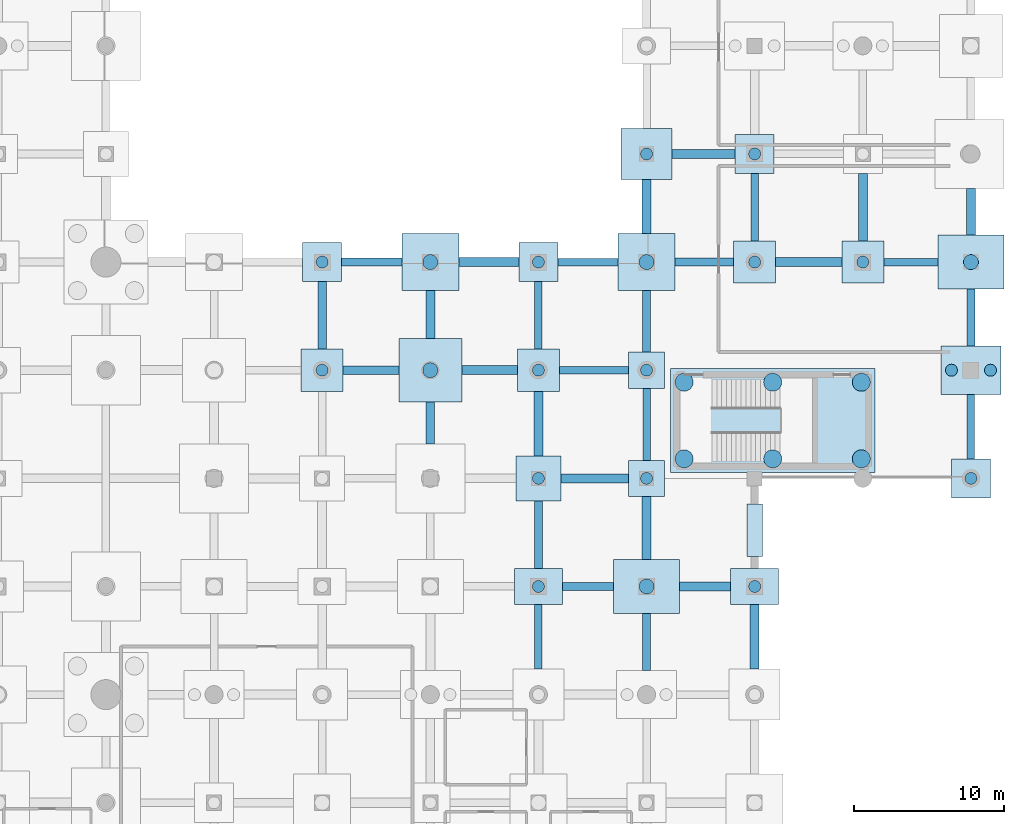
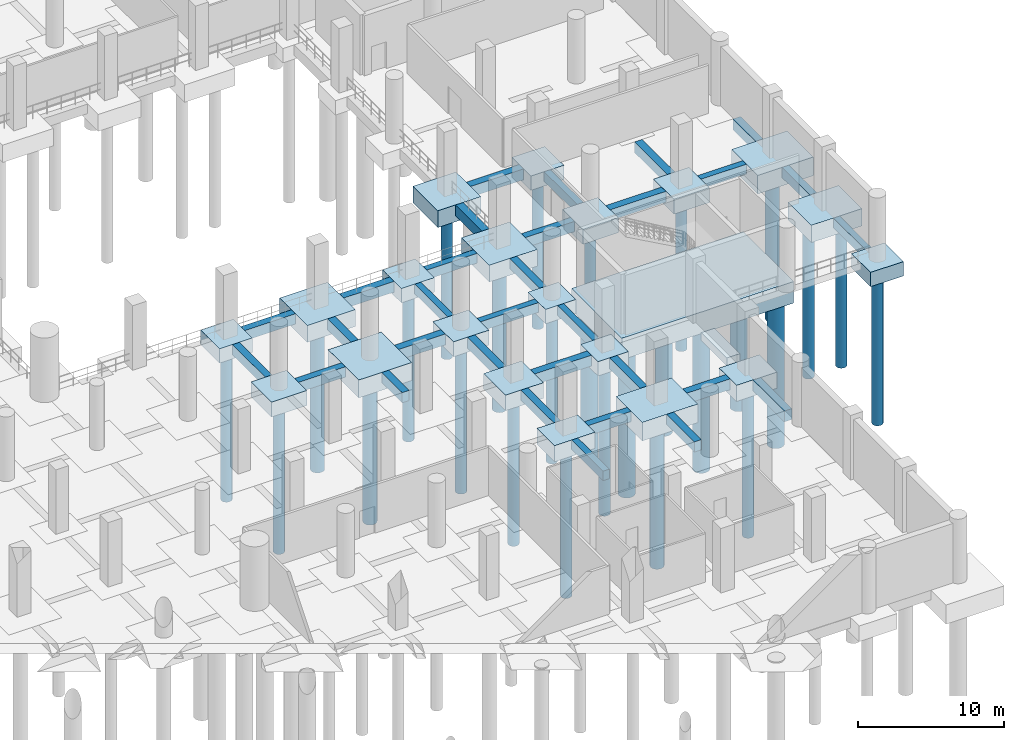
# One storey, part 13 of 37: 53 footings, 27 piles.
"""IFC4 building model written with IfcOpenShell, lengths in metres."""

from ifc_helpers import new_model, si_unit, direction, frame, origin, origin_2d, place, context, subcontext, project, spatial, rectangle, circle, extrude, material, material_profile, profile_set, type_object, element, save


model = new_model("IFC4")

# Units and contexts
model_context = context("Model", 3, precision=1e-05, world=origin(), true_north=direction((0.0, 1.0)))
body_context = subcontext(model_context, "Body", "Model", "MODEL_VIEW")
ifc_project = project(units=[si_unit("LENGTHUNIT", "METRE"), si_unit("AREAUNIT", "SQUARE_METRE"), si_unit("VOLUMEUNIT", "CUBIC_METRE"), si_unit("PLANEANGLEUNIT", "RADIAN"), si_unit("MASSUNIT", "GRAM", prefix="KILO")], contexts=[model_context])

# Site, building, storey
site_placement = place(None, origin())
site = spatial("IfcSite", under=ifc_project, at=site_placement, CompositionType="ELEMENT")
building_placement = place(site_placement, origin())
building = spatial("IfcBuilding", under=site, at=building_placement, Name="Qandorah Velis Arena", CompositionType="ELEMENT")
storey_placement = place(building_placement, frame((0.0, 0.0, -5.39990234375)))
storey = spatial("IfcBuildingStorey", under=building, at=storey_placement, Name="B1", CompositionType="ELEMENT", Elevation=-5.39990234375)

# Footings
ifc_material = material(Name="Concrete C40/50", Category="concrete")
footing_type_1 = type_object("IfcFootingType", Name="STR-CAP-PC10", PredefinedType="PILE_CAP", material=ifc_material)
for number, where, z_axis, x_axis, name in (
    (1, (129.60009765625, 57.60009765625, -1.2001953125), (0.0, 0.0, 1.0), (1.0, 0.0, 0.0), "Pile cap CAP-B1-267"),
    (2, (144.0, 57.60009765625, -1.2001953125), (0.0, 0.0, 1.0), (1.0, 0.0, 0.0), "Pile cap CAP-B1-297"),
):
    element("IfcFooting", number, at=place(storey_placement, frame(where, z_axis=z_axis, x_axis=x_axis)), inside=storey, type_object=footing_type_1, Name=name, PredefinedType="PILE_CAP", context=body_context, shape_type="SweptSolid", body=[
        extrude(rectangle(XDim=2.60009765625, YDim=2.60009765625, at=origin_2d()), origin(), (0.0, 0.0, 1.0), 1.199951171875),
    ])
for number, where, z_axis, x_axis, name in (
    (3, (151.199951171875, 43.199951171875, -1.2001953125), (0.0, 0.0, 1.0), (1.0, 0.0, 0.0), "Pile cap CAP-B1-310"),
    (4, (151.199951171875, 50.39990234375, -1.2001953125), (0.0, 0.0, 1.0), (1.0, 0.0, 0.0), "Pile cap CAP-B1-311"),
):
    element("IfcFooting", number, at=place(storey_placement, frame(where, z_axis=z_axis, x_axis=x_axis)), inside=storey, type_object=footing_type_1, Name=name, PredefinedType="PILE_CAP", context=body_context, shape_type="SweptSolid", body=[
        extrude(rectangle(XDim=2.39990234375, YDim=2.39990234375, at=origin_2d()), origin(), (0.0, 0.0, 1.0), 1.199951171875),
    ])
for number, where, z_axis, x_axis, name in (
    (5, (158.39990234375, 64.800048828125, -1.2001953125), (0.0, 0.0, 1.0), (1.0, 0.0, 0.0), "Pile cap CAP-B1-327"),
    (6, (172.800048828125, 43.199951171875, -1.2001953125), (0.0, 0.0, 1.0), (1.0, 0.0, 0.0), "Pile cap CAP-B1-347"),
):
    element("IfcFooting", number, at=place(storey_placement, frame(where, z_axis=z_axis, x_axis=x_axis)), inside=storey, type_object=footing_type_1, Name=name, PredefinedType="PILE_CAP", context=body_context, shape_type="SweptSolid", body=[
        extrude(rectangle(XDim=2.60009765625, YDim=2.60009765625, at=origin_2d()), origin(), (0.0, 0.0, 1.0), 1.199951171875),
    ])
footing_type_2 = type_object("IfcFootingType", Name="STR-CAP-PC11", PredefinedType="PILE_CAP", material=ifc_material)
footing_1_placement = place(storey_placement, frame((159.60009765625, 47.050048828125, -1.80029296875), z_axis=(0.0, 0.0, 1.0), x_axis=(1.0, 0.0, 0.0)))
element("IfcFooting", 7, at=footing_1_placement, inside=storey, type_object=footing_type_2, Name="Pile cap CAP-CORE-CORE-07", PredefinedType="PILE_CAP", context=body_context, shape_type="SweptSolid", body=[
    extrude(rectangle(XDim=13.60009765625, YDim=6.89990234375, at=origin_2d()), origin(), (0.0, 0.0, 1.0), 1.800048828125),
])
footing_type_3 = type_object("IfcFootingType", Name="STR-CAP-PC14", PredefinedType="PILE_CAP", material=ifc_material)
footing_2_placement = place(storey_placement, frame((172.800048828125, 50.39990234375, -1.4501953125), z_axis=(0.0, 0.0, 1.0), x_axis=(1.0, 0.0, 0.0)))
element("IfcFooting", 8, at=footing_2_placement, inside=storey, type_object=footing_type_3, Name="Pile cap CAP-B1-348", PredefinedType="PILE_CAP", context=body_context, shape_type="SweptSolid", body=[
    extrude(rectangle(XDim=4.0, YDim=3.199951171875, at=origin_2d()), origin(), (0.0, 0.0, 1.0), 1.449951171875),
])
footing_type_4 = type_object("IfcFootingType", Name="STR-CAP-PC15", PredefinedType="PILE_CAP", material=ifc_material)
for number, where, z_axis, x_axis, name in (
    (9, (151.199951171875, 36.0, -1.55029296875), (0.0, 0.0, 1.0), (1.0, 0.0, 0.0), "Pile cap CAP-B1-309"),
    (10, (172.800048828125, 57.60009765625, -1.55029296875), (0.0, 0.0, 1.0), (1.0, 0.0, 0.0), "Pile cap CAP-B1-349"),
):
    element("IfcFooting", number, at=place(storey_placement, frame(where, z_axis=z_axis, x_axis=x_axis)), inside=storey, type_object=footing_type_4, Name=name, PredefinedType="PILE_CAP", context=body_context, shape_type="SweptSolid", body=[
        extrude(rectangle(XDim=4.39990234375, YDim=3.60009765625, at=origin_2d()), origin(), (0.0, 0.0, 1.0), 1.550048828125),
    ])
footing_type_5 = type_object("IfcFootingType", Name="STR-CAP-PC4", PredefinedType="PILE_CAP", material=ifc_material)
footing_3_placement = place(storey_placement, frame((136.800048828125, 50.39990234375, -1.5), z_axis=(0.0, 0.0, 1.0), x_axis=(1.0, 0.0, 0.0)))
element("IfcFooting", 11, at=footing_3_placement, inside=storey, type_object=footing_type_5, Name="Pile cap CAP-B1-281", PredefinedType="PILE_CAP", context=body_context, shape_type="SweptSolid", body=[
    extrude(rectangle(XDim=4.199951171875, YDim=4.199951171875, at=origin_2d()), origin(), (0.0, 0.0, 1.0), 1.5),
])
footing_type_6 = type_object("IfcFootingType", Name="STR-CAP-PC5", PredefinedType="PILE_CAP", material=ifc_material)
for number, where, z_axis, x_axis, name in (
    (12, (136.800048828125, 57.60009765625, -1.400146484375), (0.0, 0.0, 1.0), (1.0, 0.0, 0.0), "Pile cap CAP-B1-282"),
    (13, (151.199951171875, 57.60009765625, -1.400146484375), (0.0, 0.0, 1.0), (1.0, 0.0, 0.0), "Pile cap CAP-B1-312"),
):
    element("IfcFooting", number, at=place(storey_placement, frame(where, z_axis=z_axis, x_axis=x_axis)), inside=storey, type_object=footing_type_6, Name=name, PredefinedType="PILE_CAP", context=body_context, shape_type="SweptSolid", body=[
        extrude(rectangle(XDim=3.800048828125, YDim=3.800048828125, at=origin_2d()), origin(), (0.0, 0.0, 1.0), 1.39990234375),
    ])
footing_type_7 = type_object("IfcFootingType", Name="STR-CAP-PC6", PredefinedType="PILE_CAP", material=ifc_material)
footing_4_placement = place(storey_placement, frame((151.199951171875, 64.800048828125, -1.400146484375), z_axis=(0.0, 0.0, 1.0), x_axis=(1.0, 0.0, 0.0)))
element("IfcFooting", 14, at=footing_4_placement, inside=storey, type_object=footing_type_7, Name="Pile cap CAP-B1-313", PredefinedType="PILE_CAP", context=body_context, shape_type="SweptSolid", body=[
    extrude(rectangle(XDim=3.39990234375, YDim=3.39990234375, at=origin_2d()), origin(), (0.0, 0.0, 1.0), 1.39990234375),
])
footing_type_8 = type_object("IfcFootingType", Name="STR-CAP-PC7", PredefinedType="PILE_CAP", material=ifc_material)
for number, where, z_axis, x_axis, name in (
    (15, (144.0, 36.0, -1.35009765625), (0.0, 0.0, 1.0), (1.0, 0.0, 0.0), "Pile cap CAP-B1-294"),
    (16, (158.39990234375, 36.0, -1.35009765625), (0.0, 0.0, 1.0), (1.0, 0.0, 0.0), "Pile cap CAP-B1-324"),
):
    element("IfcFooting", number, at=place(storey_placement, frame(where, z_axis=z_axis, x_axis=x_axis)), inside=storey, type_object=footing_type_8, Name=name, PredefinedType="PILE_CAP", context=body_context, shape_type="SweptSolid", body=[
        extrude(rectangle(XDim=3.199951171875, YDim=2.39990234375, at=origin_2d()), origin(), (0.0, 0.0, 1.0), 1.35009765625),
    ])
footing_type_9 = type_object("IfcFootingType", Name="STR-CAP-PC8", PredefinedType="PILE_CAP", material=ifc_material)
footing_5_placement = place(storey_placement, frame((144.0, 43.199951171875, -1.30029296875), z_axis=(0.0, 0.0, 1.0), x_axis=(1.0, 0.0, 0.0)))
element("IfcFooting", 17, at=footing_5_placement, inside=storey, type_object=footing_type_9, Name="Pile cap CAP-B1-295", PredefinedType="PILE_CAP", context=body_context, shape_type="SweptSolid", body=[
    extrude(rectangle(XDim=3.0, YDim=3.0, at=origin_2d()), origin(), (0.0, 0.0, 1.0), 1.300048828125),
])
footing_type_10 = type_object("IfcFootingType", Name="STR-CAP-PC9", PredefinedType="PILE_CAP", material=ifc_material)
for number, where, z_axis, x_axis, name in (
    (18, (129.60009765625, 50.39990234375, -1.25), (0.0, 0.0, 1.0), (1.0, 0.0, 0.0), "Pile cap CAP-B1-266"),
    (19, (144.0, 50.39990234375, -1.25), (0.0, 0.0, 1.0), (1.0, 0.0, 0.0), "Pile cap CAP-B1-296"),
    (20, (158.39990234375, 57.60009765625, -1.25), (0.0, 0.0, 1.0), (1.0, 0.0, 0.0), "Pile cap CAP-B1-326"),
    (21, (165.60009765625, 57.60009765625, -1.25), (0.0, 0.0, 1.0), (1.0, 0.0, 0.0), "Pile cap CAP-B1-336"),
):
    element("IfcFooting", number, at=place(storey_placement, frame(where, z_axis=z_axis, x_axis=x_axis)), inside=storey, type_object=footing_type_10, Name=name, PredefinedType="PILE_CAP", context=body_context, shape_type="SweptSolid", body=[
        extrude(rectangle(XDim=2.800048828125, YDim=2.800048828125, at=origin_2d()), origin(), (0.0, 0.0, 1.0), 1.25),
    ])
ifc_material_profile_1 = material_profile(ifc_material, rectangle(XDim=0.60009765625, YDim=0.89990234375, at=origin_2d()), Name="GB1 600x900")
ifc_profile_set_1 = profile_set([ifc_material_profile_1], Name="Concrete C40/50")
footing_type_11 = type_object("IfcFootingType", Name="STR-GB-FB1", PredefinedType="FOOTING_BEAM", material=ifc_profile_set_1)
footing_6_placement = place(storey_placement, frame((136.800048828125, 52.5, -0.4501953125), z_axis=(0.0, 1.0, 0.0), x_axis=(-1.0, 0.0, 0.0)))
element("IfcFooting", 22, at=footing_6_placement, inside=storey, type_object=footing_type_11, Name="Ground tie beam GB-210", PredefinedType="FOOTING_BEAM", context=body_context, shape_type="SweptSolid", body=[
    extrude(rectangle(XDim=0.60009765625, YDim=0.89990234375, at=origin_2d()), origin(), (0.0, 0.0, 1.0), 3.199951171875),
])
footing_7_placement = place(storey_placement, frame((144.0, 44.699951171875, -0.4501953125), z_axis=(0.0, 1.0, 0.0), x_axis=(-1.0, 0.0, 0.0)))
element("IfcFooting", 23, at=footing_7_placement, inside=storey, type_object=footing_type_11, Name="Ground tie beam GB-222", PredefinedType="FOOTING_BEAM", context=body_context, shape_type="SweptSolid", body=[
    extrude(rectangle(XDim=0.60009765625, YDim=0.89990234375, at=origin_2d()), origin(), (0.0, 0.0, 1.0), 4.300048828125),
])
footing_8_placement = place(storey_placement, frame((151.199951171875, 37.800048828125, -0.4501953125), z_axis=(0.0, 1.0, 0.0), x_axis=(-1.0, 0.0, 0.0)))
element("IfcFooting", 24, at=footing_8_placement, inside=storey, type_object=footing_type_11, Name="Ground tie beam GB-234", PredefinedType="FOOTING_BEAM", context=body_context, shape_type="SweptSolid", body=[
    extrude(rectangle(XDim=0.60009765625, YDim=0.89990234375, at=origin_2d()), origin(), (0.0, 0.0, 1.0), 4.199951171875),
])
footing_9_placement = place(storey_placement, frame((151.199951171875, 59.5, -0.4501953125), z_axis=(0.0, 1.0, 0.0), x_axis=(-1.0, 0.0, 0.0)))
element("IfcFooting", 25, at=footing_9_placement, inside=storey, type_object=footing_type_11, Name="Ground tie beam GB-237", PredefinedType="FOOTING_BEAM", context=body_context, shape_type="SweptSolid", body=[
    extrude(rectangle(XDim=0.60009765625, YDim=0.89990234375, at=origin_2d()), origin(), (0.0, 0.0, 1.0), 3.60009765625),
])
footing_10_placement = place(storey_placement, frame((158.39990234375, 30.5, -0.4501953125), z_axis=(0.0, 1.0, 0.0), x_axis=(-1.0, 0.0, 0.0)))
element("IfcFooting", 26, at=footing_10_placement, inside=storey, type_object=footing_type_11, Name="Ground tie beam GB-246", PredefinedType="FOOTING_BEAM", context=body_context, shape_type="SweptSolid", body=[
    extrude(rectangle(XDim=0.60009765625, YDim=0.89990234375, at=origin_2d()), origin(), (0.0, 0.0, 1.0), 4.300048828125),
])
footing_11_placement = place(storey_placement, frame((165.60009765625, 59.0, -0.4501953125), z_axis=(0.0, 1.0, 0.0), x_axis=(-1.0, 0.0, 0.0)))
element("IfcFooting", 27, at=footing_11_placement, inside=storey, type_object=footing_type_11, Name="Ground tie beam GB-252", PredefinedType="FOOTING_BEAM", context=body_context, shape_type="SweptSolid", body=[
    extrude(rectangle(XDim=0.60009765625, YDim=0.89990234375, at=origin_2d()), origin(), (0.0, 0.0, 1.0), 4.5),
])
footing_12_placement = place(storey_placement, frame((172.800048828125, 59.39990234375, -0.4501953125), z_axis=(0.0, 1.0, 0.0), x_axis=(-1.0, 0.0, 0.0)))
element("IfcFooting", 28, at=footing_12_placement, inside=storey, type_object=footing_type_11, Name="Ground tie beam GB-261", PredefinedType="FOOTING_BEAM", context=body_context, shape_type="SweptSolid", body=[
    extrude(rectangle(XDim=0.60009765625, YDim=0.89990234375, at=origin_2d()), origin(), (0.0, 0.0, 1.0), 3.10009765625),
])
footing_13_placement = place(storey_placement, frame((153.39990234375, 36.0, -0.4501953125), z_axis=(1.0, 0.0, 0.0), x_axis=(0.0, 1.0, 0.0)))
element("IfcFooting", 29, at=footing_13_placement, inside=storey, type_object=footing_type_11, Name="Ground tie beam GB-378", PredefinedType="FOOTING_BEAM", context=body_context, shape_type="SweptSolid", body=[
    extrude(rectangle(XDim=0.60009765625, YDim=0.89990234375, at=origin_2d()), origin(), (0.0, 0.0, 1.0), 3.400146484375),
])
footing_14_placement = place(storey_placement, frame((145.5, 43.199951171875, -0.4501953125), z_axis=(1.0, 0.0, 0.0), x_axis=(0.0, 1.0, 0.0)))
element("IfcFooting", 30, at=footing_14_placement, inside=storey, type_object=footing_type_11, Name="Ground tie beam GB-384", PredefinedType="FOOTING_BEAM", context=body_context, shape_type="SweptSolid", body=[
    extrude(rectangle(XDim=0.60009765625, YDim=0.89990234375, at=origin_2d()), origin(), (0.0, 0.0, 1.0), 4.5),
])
footing_15_placement = place(storey_placement, frame((138.89990234375, 50.39990234375, -0.4501953125), z_axis=(1.0, 0.0, 0.0), x_axis=(0.0, 1.0, 0.0)))
element("IfcFooting", 31, at=footing_15_placement, inside=storey, type_object=footing_type_11, Name="Ground tie beam GB-390", PredefinedType="FOOTING_BEAM", context=body_context, shape_type="SweptSolid", body=[
    extrude(rectangle(XDim=0.60009765625, YDim=0.89990234375, at=origin_2d()), origin(), (0.0, 0.0, 1.0), 3.7001953125),
])
footing_16_placement = place(storey_placement, frame((138.699951171875, 57.60009765625, -0.4501953125), z_axis=(1.0, 0.0, 0.0), x_axis=(0.0, 1.0, 0.0)))
element("IfcFooting", 32, at=footing_16_placement, inside=storey, type_object=footing_type_11, Name="Ground tie beam GB-399", PredefinedType="FOOTING_BEAM", context=body_context, shape_type="SweptSolid", body=[
    extrude(rectangle(XDim=0.60009765625, YDim=0.89990234375, at=origin_2d()), origin(), (0.0, 0.0, 1.0), 4.0),
])
footing_17_placement = place(storey_placement, frame((159.800048828125, 57.60009765625, -0.4501953125), z_axis=(1.0, 0.0, 0.0), x_axis=(0.0, 1.0, 0.0)))
element("IfcFooting", 33, at=footing_17_placement, inside=storey, type_object=footing_type_11, Name="Ground tie beam GB-402", PredefinedType="FOOTING_BEAM", context=body_context, shape_type="SweptSolid", body=[
    extrude(rectangle(XDim=0.60009765625, YDim=0.89990234375, at=origin_2d()), origin(), (0.0, 0.0, 1.0), 4.39990234375),
])
footing_18_placement = place(storey_placement, frame((152.89990234375, 64.800048828125, -0.4501953125), z_axis=(1.0, 0.0, 0.0), x_axis=(0.0, 1.0, 0.0)))
element("IfcFooting", 34, at=footing_18_placement, inside=storey, type_object=footing_type_11, Name="Ground tie beam GB-408", PredefinedType="FOOTING_BEAM", context=body_context, shape_type="SweptSolid", body=[
    extrude(rectangle(XDim=0.60009765625, YDim=0.89990234375, at=origin_2d()), origin(), (0.0, 0.0, 1.0), 4.2001953125),
])
ifc_material_profile_2 = material_profile(ifc_material, rectangle(XDim=0.5, YDim=0.800048828125, at=origin_2d()), Name="GB2 500x800")
ifc_profile_set_2 = profile_set([ifc_material_profile_2], Name="Concrete C40/50")
footing_type_12 = type_object("IfcFootingType", Name="STR-GB-FB2", PredefinedType="FOOTING_BEAM", material=ifc_profile_set_2)
footing_19_placement = place(storey_placement, frame((144.0, 30.5, -0.400146484375), z_axis=(0.0, 1.0, 0.0), x_axis=(-1.0, 0.0, 0.0)))
element("IfcFooting", 35, at=footing_19_placement, inside=storey, type_object=footing_type_12, Name="Ground tie beam GB-220", PredefinedType="FOOTING_BEAM", context=body_context, shape_type="SweptSolid", body=[
    extrude(rectangle(XDim=0.5, YDim=0.800048828125, at=origin_2d()), origin(), (0.0, 0.0, 1.0), 4.300048828125),
])
footing_20_placement = place(storey_placement, frame((144.0, 51.800048828125, -0.400146484375), z_axis=(0.0, 1.0, 0.0), x_axis=(-1.0, 0.0, 0.0)))
element("IfcFooting", 36, at=footing_20_placement, inside=storey, type_object=footing_type_12, Name="Ground tie beam GB-223", PredefinedType="FOOTING_BEAM", context=body_context, shape_type="SweptSolid", body=[
    extrude(rectangle(XDim=0.5, YDim=0.800048828125, at=origin_2d()), origin(), (0.0, 0.0, 1.0), 4.5),
])
footing_21_placement = place(storey_placement, frame((151.199951171875, 44.39990234375, -0.400146484375), z_axis=(0.0, 1.0, 0.0), x_axis=(-1.0, 0.0, 0.0)))
element("IfcFooting", 37, at=footing_21_placement, inside=storey, type_object=footing_type_12, Name="Ground tie beam GB-235", PredefinedType="FOOTING_BEAM", context=body_context, shape_type="SweptSolid", body=[
    extrude(rectangle(XDim=0.5, YDim=0.800048828125, at=origin_2d()), origin(), (0.0, 0.0, 1.0), 4.800048828125),
])
footing_22_placement = place(storey_placement, frame((158.39990234375, 59.0, -0.400146484375), z_axis=(0.0, 1.0, 0.0), x_axis=(-1.0, 0.0, 0.0)))
element("IfcFooting", 38, at=footing_22_placement, inside=storey, type_object=footing_type_12, Name="Ground tie beam GB-247", PredefinedType="FOOTING_BEAM", context=body_context, shape_type="SweptSolid", body=[
    extrude(rectangle(XDim=0.5, YDim=0.800048828125, at=origin_2d()), origin(), (0.0, 0.0, 1.0), 4.5),
])
footing_23_placement = place(storey_placement, frame((172.800048828125, 44.5, -0.400146484375), z_axis=(0.0, 1.0, 0.0), x_axis=(-1.0, 0.0, 0.0)))
element("IfcFooting", 39, at=footing_23_placement, inside=storey, type_object=footing_type_12, Name="Ground tie beam GB-259", PredefinedType="FOOTING_BEAM", context=body_context, shape_type="SweptSolid", body=[
    extrude(rectangle(XDim=0.5, YDim=0.800048828125, at=origin_2d()), origin(), (0.0, 0.0, 1.0), 4.300048828125),
])
footing_24_placement = place(storey_placement, frame((145.39990234375, 50.39990234375, -0.400146484375), z_axis=(1.0, 0.0, 0.0), x_axis=(0.0, 1.0, 0.0)))
element("IfcFooting", 40, at=footing_24_placement, inside=storey, type_object=footing_type_12, Name="Ground tie beam GB-391", PredefinedType="FOOTING_BEAM", context=body_context, shape_type="SweptSolid", body=[
    extrude(rectangle(XDim=0.5, YDim=0.800048828125, at=origin_2d()), origin(), (0.0, 0.0, 1.0), 4.60009765625),
])
footing_25_placement = place(storey_placement, frame((145.300048828125, 57.60009765625, -0.400146484375), z_axis=(1.0, 0.0, 0.0), x_axis=(0.0, 1.0, 0.0)))
element("IfcFooting", 41, at=footing_25_placement, inside=storey, type_object=footing_type_12, Name="Ground tie beam GB-400", PredefinedType="FOOTING_BEAM", context=body_context, shape_type="SweptSolid", body=[
    extrude(rectangle(XDim=0.5, YDim=0.800048828125, at=origin_2d()), origin(), (0.0, 0.0, 1.0), 4.0),
])
footing_26_placement = place(storey_placement, frame((167.0, 57.60009765625, -0.400146484375), z_axis=(1.0, 0.0, 0.0), x_axis=(0.0, 1.0, 0.0)))
element("IfcFooting", 42, at=footing_26_placement, inside=storey, type_object=footing_type_12, Name="Ground tie beam GB-403", PredefinedType="FOOTING_BEAM", context=body_context, shape_type="SweptSolid", body=[
    extrude(rectangle(XDim=0.5, YDim=0.800048828125, at=origin_2d()), origin(), (0.0, 0.0, 1.0), 3.60009765625),
])
ifc_material_profile_3 = material_profile(ifc_material, rectangle(XDim=0.550048828125, YDim=0.85009765625, at=origin_2d()), Name="GB3 550x850")
ifc_profile_set_3 = profile_set([ifc_material_profile_3], Name="Concrete C40/50")
footing_type_13 = type_object("IfcFootingType", Name="STR-GB-FB3", PredefinedType="FOOTING_BEAM", material=ifc_profile_set_3)
footing_27_placement = place(storey_placement, frame((129.60009765625, 51.800048828125, -0.425048828125), z_axis=(0.0, 1.0, 0.0), x_axis=(-1.0, 0.0, 0.0)))
element("IfcFooting", 43, at=footing_27_placement, inside=storey, type_object=footing_type_13, Name="Ground tie beam GB-197", PredefinedType="FOOTING_BEAM", context=body_context, shape_type="SweptSolid", body=[
    extrude(rectangle(XDim=0.550048828125, YDim=0.85009765625, at=origin_2d()), origin(), (0.0, 0.0, 1.0), 4.5),
])
footing_28_placement = place(storey_placement, frame((136.800048828125, 45.5, -0.425048828125), z_axis=(0.0, 1.0, 0.0), x_axis=(-1.0, 0.0, 0.0)))
element("IfcFooting", 44, at=footing_28_placement, inside=storey, type_object=footing_type_13, Name="Ground tie beam GB-209", PredefinedType="FOOTING_BEAM", context=body_context, shape_type="SweptSolid", body=[
    extrude(rectangle(XDim=0.550048828125, YDim=0.85009765625, at=origin_2d()), origin(), (0.0, 0.0, 1.0), 2.800048828125),
])
footing_29_placement = place(storey_placement, frame((144.0, 37.199951171875, -0.425048828125), z_axis=(0.0, 1.0, 0.0), x_axis=(-1.0, 0.0, 0.0)))
element("IfcFooting", 45, at=footing_29_placement, inside=storey, type_object=footing_type_13, Name="Ground tie beam GB-221", PredefinedType="FOOTING_BEAM", context=body_context, shape_type="SweptSolid", body=[
    extrude(rectangle(XDim=0.550048828125, YDim=0.85009765625, at=origin_2d()), origin(), (0.0, 0.0, 1.0), 4.5),
])
footing_30_placement = place(storey_placement, frame((151.199951171875, 30.39990234375, -0.425048828125), z_axis=(0.0, 1.0, 0.0), x_axis=(-1.0, 0.0, 0.0)))
element("IfcFooting", 46, at=footing_30_placement, inside=storey, type_object=footing_type_13, Name="Ground tie beam GB-233", PredefinedType="FOOTING_BEAM", context=body_context, shape_type="SweptSolid", body=[
    extrude(rectangle(XDim=0.550048828125, YDim=0.85009765625, at=origin_2d()), origin(), (0.0, 0.0, 1.0), 3.800048828125),
])
footing_31_placement = place(storey_placement, frame((151.199951171875, 51.60009765625, -0.425048828125), z_axis=(0.0, 1.0, 0.0), x_axis=(-1.0, 0.0, 0.0)))
element("IfcFooting", 47, at=footing_31_placement, inside=storey, type_object=footing_type_13, Name="Ground tie beam GB-236", PredefinedType="FOOTING_BEAM", context=body_context, shape_type="SweptSolid", body=[
    extrude(rectangle(XDim=0.550048828125, YDim=0.85009765625, at=origin_2d()), origin(), (0.0, 0.0, 1.0), 4.099853515625),
])
footing_32_placement = place(storey_placement, frame((172.800048828125, 52.0, -0.425048828125), z_axis=(0.0, 1.0, 0.0), x_axis=(-1.0, 0.0, 0.0)))
element("IfcFooting", 48, at=footing_32_placement, inside=storey, type_object=footing_type_13, Name="Ground tie beam GB-260", PredefinedType="FOOTING_BEAM", context=body_context, shape_type="SweptSolid", body=[
    extrude(rectangle(XDim=0.550048828125, YDim=0.85009765625, at=origin_2d()), origin(), (0.0, 0.0, 1.0), 3.800048828125),
])
footing_33_placement = place(storey_placement, frame((145.60009765625, 36.0, -0.425048828125), z_axis=(1.0, 0.0, 0.0), x_axis=(0.0, 1.0, 0.0)))
element("IfcFooting", 49, at=footing_33_placement, inside=storey, type_object=footing_type_13, Name="Ground tie beam GB-377", PredefinedType="FOOTING_BEAM", context=body_context, shape_type="SweptSolid", body=[
    extrude(rectangle(XDim=0.550048828125, YDim=0.85009765625, at=origin_2d()), origin(), (0.0, 0.0, 1.0), 3.39990234375),
])
footing_34_placement = place(storey_placement, frame((131.0, 50.39990234375, -0.425048828125), z_axis=(1.0, 0.0, 0.0), x_axis=(0.0, 1.0, 0.0)))
element("IfcFooting", 50, at=footing_34_placement, inside=storey, type_object=footing_type_13, Name="Ground tie beam GB-389", PredefinedType="FOOTING_BEAM", context=body_context, shape_type="SweptSolid", body=[
    extrude(rectangle(XDim=0.550048828125, YDim=0.85009765625, at=origin_2d()), origin(), (0.0, 0.0, 1.0), 3.699951171875),
])
footing_35_placement = place(storey_placement, frame((130.89990234375, 57.60009765625, -0.425048828125), z_axis=(1.0, 0.0, 0.0), x_axis=(0.0, 1.0, 0.0)))
element("IfcFooting", 51, at=footing_35_placement, inside=storey, type_object=footing_type_13, Name="Ground tie beam GB-398", PredefinedType="FOOTING_BEAM", context=body_context, shape_type="SweptSolid", body=[
    extrude(rectangle(XDim=0.550048828125, YDim=0.85009765625, at=origin_2d()), origin(), (0.0, 0.0, 1.0), 4.0),
])
footing_36_placement = place(storey_placement, frame((153.10009765625, 57.60009765625, -0.425048828125), z_axis=(1.0, 0.0, 0.0), x_axis=(0.0, 1.0, 0.0)))
element("IfcFooting", 52, at=footing_36_placement, inside=storey, type_object=footing_type_13, Name="Ground tie beam GB-401", PredefinedType="FOOTING_BEAM", context=body_context, shape_type="SweptSolid", body=[
    extrude(rectangle(XDim=0.550048828125, YDim=0.85009765625, at=origin_2d()), origin(), (0.0, 0.0, 1.0), 3.89990234375),
])

# Piles
ifc_material_profile_4 = material_profile(ifc_material, circle(Radius=0.5, at=origin_2d()), Name="BORED PILE D1000")
ifc_profile_set_4 = profile_set([ifc_material_profile_4], Name="Concrete C40/50")
pile_type_1 = type_object("IfcPileType", Name="STR-PILE-BP1000", PredefinedType="BORED", material=ifc_profile_set_4)
pile_1_placement = place(storey_placement, frame((136.800048828125, 50.39990234375, -1.400146484375), z_axis=(0.0, 0.0, -1.0), x_axis=(1.0, 0.0, 0.0)))
element("IfcPile", 53, at=pile_1_placement, inside=storey, type_object=pile_type_1, Name="Bored pile PILE-CAP-B1-281-11", PredefinedType="BORED", context=body_context, shape_type="SweptSolid", body=[
    extrude(circle(Radius=0.5, at=origin_2d()), origin(), (0.0, 0.0, 1.0), 12.39990234375),
])
pile_2_placement = place(storey_placement, frame((136.800048828125, 57.60009765625, -1.300048828125), z_axis=(0.0, 0.0, -1.0), x_axis=(1.0, 0.0, 0.0)))
element("IfcPile", 54, at=pile_2_placement, inside=storey, type_object=pile_type_1, Name="Bored pile PILE-CAP-B1-282-11", PredefinedType="BORED", context=body_context, shape_type="SweptSolid", body=[
    extrude(circle(Radius=0.5, at=origin_2d()), origin(), (0.0, 0.0, 1.0), 12.5),
])
pile_3_placement = place(storey_placement, frame((151.199951171875, 36.0, -1.4501953125), z_axis=(0.0, 0.0, -1.0), x_axis=(1.0, 0.0, 0.0)))
element("IfcPile", 55, at=pile_3_placement, inside=storey, type_object=pile_type_1, Name="Bored pile PILE-CAP-B1-309-11", PredefinedType="BORED", context=body_context, shape_type="SweptSolid", body=[
    extrude(circle(Radius=0.5, at=origin_2d()), origin(), (0.0, 0.0, 1.0), 12.35009765625),
])
pile_4_placement = place(storey_placement, frame((151.199951171875, 57.60009765625, -1.300048828125), z_axis=(0.0, 0.0, -1.0), x_axis=(1.0, 0.0, 0.0)))
element("IfcPile", 56, at=pile_4_placement, inside=storey, type_object=pile_type_1, Name="Bored pile PILE-CAP-B1-312-11", PredefinedType="BORED", context=body_context, shape_type="SweptSolid", body=[
    extrude(circle(Radius=0.5, at=origin_2d()), origin(), (0.0, 0.0, 1.0), 12.5),
])
pile_5_placement = place(storey_placement, frame((172.800048828125, 57.60009765625, -1.4501953125), z_axis=(0.0, 0.0, -1.0), x_axis=(1.0, 0.0, 0.0)))
element("IfcPile", 57, at=pile_5_placement, inside=storey, type_object=pile_type_1, Name="Bored pile PILE-CAP-B1-349-11", PredefinedType="BORED", context=body_context, shape_type="SweptSolid", body=[
    extrude(circle(Radius=0.5, at=origin_2d()), origin(), (0.0, 0.0, 1.0), 12.35009765625),
])
ifc_material_profile_5 = material_profile(ifc_material, circle(Radius=0.60009765625, at=origin_2d()), Name="BORED PILE D1200")
ifc_profile_set_5 = profile_set([ifc_material_profile_5], Name="Concrete C40/50")
pile_type_2 = type_object("IfcPileType", Name="STR-PILE-BP1200", PredefinedType="BORED", material=ifc_profile_set_5)
for number, where, z_axis, x_axis, name in (
    (58, (153.699951171875, 44.5, -1.7001953125), (0.0, 0.0, -1.0), (1.0, 0.0, 0.0), "Bored pile PILE-CAP-CORE-CORE-07-11"),
    (59, (153.699951171875, 49.60009765625, -1.7001953125), (0.0, 0.0, -1.0), (1.0, 0.0, 0.0), "Bored pile PILE-CAP-CORE-CORE-07-12"),
    (60, (159.60009765625, 44.5, -1.7001953125), (0.0, 0.0, -1.0), (1.0, 0.0, 0.0), "Bored pile PILE-CAP-CORE-CORE-07-21"),
    (61, (159.60009765625, 49.60009765625, -1.7001953125), (0.0, 0.0, -1.0), (1.0, 0.0, 0.0), "Bored pile PILE-CAP-CORE-CORE-07-22"),
    (62, (165.5, 44.5, -1.7001953125), (0.0, 0.0, -1.0), (1.0, 0.0, 0.0), "Bored pile PILE-CAP-CORE-CORE-07-31"),
    (63, (165.5, 49.60009765625, -1.7001953125), (0.0, 0.0, -1.0), (1.0, 0.0, 0.0), "Bored pile PILE-CAP-CORE-CORE-07-32"),
):
    element("IfcPile", number, at=place(storey_placement, frame(where, z_axis=z_axis, x_axis=x_axis)), inside=storey, type_object=pile_type_2, Name=name, PredefinedType="BORED", context=body_context, shape_type="SweptSolid", body=[
        extrude(circle(Radius=0.60009765625, at=origin_2d()), origin(), (0.0, 0.0, 1.0), 12.10009765625),
    ])
ifc_material_profile_6 = material_profile(ifc_material, circle(Radius=0.39990234375, at=origin_2d()), Name="BORED PILE D800")
ifc_profile_set_6 = profile_set([ifc_material_profile_6], Name="Concrete C40/50")
pile_type_3 = type_object("IfcPileType", Name="STR-PILE-BP800", PredefinedType="BORED", material=ifc_profile_set_6)
pile_6_placement = place(storey_placement, frame((129.60009765625, 50.39990234375, -1.150146484375), z_axis=(0.0, 0.0, -1.0), x_axis=(1.0, 0.0, 0.0)))
element("IfcPile", 64, at=pile_6_placement, inside=storey, type_object=pile_type_3, Name="Bored pile PILE-CAP-B1-266-11", PredefinedType="BORED", context=body_context, shape_type="SweptSolid", body=[
    extrude(circle(Radius=0.39990234375, at=origin_2d()), origin(), (0.0, 0.0, 1.0), 12.64990234375),
])
pile_7_placement = place(storey_placement, frame((129.60009765625, 57.60009765625, -1.10009765625), z_axis=(0.0, 0.0, -1.0), x_axis=(1.0, 0.0, 0.0)))
element("IfcPile", 65, at=pile_7_placement, inside=storey, type_object=pile_type_3, Name="Bored pile PILE-CAP-B1-267-11", PredefinedType="BORED", context=body_context, shape_type="SweptSolid", body=[
    extrude(circle(Radius=0.39990234375, at=origin_2d()), origin(), (0.0, 0.0, 1.0), 12.699951171875),
])
pile_8_placement = place(storey_placement, frame((144.0, 36.0, -1.25), z_axis=(0.0, 0.0, -1.0), x_axis=(1.0, 0.0, 0.0)))
element("IfcPile", 66, at=pile_8_placement, inside=storey, type_object=pile_type_3, Name="Bored pile PILE-CAP-B1-294-11", PredefinedType="BORED", context=body_context, shape_type="SweptSolid", body=[
    extrude(circle(Radius=0.39990234375, at=origin_2d()), origin(), (0.0, 0.0, 1.0), 12.550048828125),
])
pile_9_placement = place(storey_placement, frame((144.0, 43.199951171875, -1.2001953125), z_axis=(0.0, 0.0, -1.0), x_axis=(1.0, 0.0, 0.0)))
element("IfcPile", 67, at=pile_9_placement, inside=storey, type_object=pile_type_3, Name="Bored pile PILE-CAP-B1-295-11", PredefinedType="BORED", context=body_context, shape_type="SweptSolid", body=[
    extrude(circle(Radius=0.39990234375, at=origin_2d()), origin(), (0.0, 0.0, 1.0), 12.60009765625),
])
pile_10_placement = place(storey_placement, frame((144.0, 50.39990234375, -1.150146484375), z_axis=(0.0, 0.0, -1.0), x_axis=(1.0, 0.0, 0.0)))
element("IfcPile", 68, at=pile_10_placement, inside=storey, type_object=pile_type_3, Name="Bored pile PILE-CAP-B1-296-11", PredefinedType="BORED", context=body_context, shape_type="SweptSolid", body=[
    extrude(circle(Radius=0.39990234375, at=origin_2d()), origin(), (0.0, 0.0, 1.0), 12.64990234375),
])
for number, where, z_axis, x_axis, name in (
    (69, (144.0, 57.60009765625, -1.10009765625), (0.0, 0.0, -1.0), (1.0, 0.0, 0.0), "Bored pile PILE-CAP-B1-297-11"),
    (70, (151.199951171875, 43.199951171875, -1.10009765625), (0.0, 0.0, -1.0), (1.0, 0.0, 0.0), "Bored pile PILE-CAP-B1-310-11"),
    (71, (151.199951171875, 50.39990234375, -1.10009765625), (0.0, 0.0, -1.0), (1.0, 0.0, 0.0), "Bored pile PILE-CAP-B1-311-11"),
):
    element("IfcPile", number, at=place(storey_placement, frame(where, z_axis=z_axis, x_axis=x_axis)), inside=storey, type_object=pile_type_3, Name=name, PredefinedType="BORED", context=body_context, shape_type="SweptSolid", body=[
        extrude(circle(Radius=0.39990234375, at=origin_2d()), origin(), (0.0, 0.0, 1.0), 12.699951171875),
    ])
pile_11_placement = place(storey_placement, frame((151.199951171875, 64.800048828125, -1.300048828125), z_axis=(0.0, 0.0, -1.0), x_axis=(1.0, 0.0, 0.0)))
element("IfcPile", 72, at=pile_11_placement, inside=storey, type_object=pile_type_3, Name="Bored pile PILE-CAP-B1-313-11", PredefinedType="BORED", context=body_context, shape_type="SweptSolid", body=[
    extrude(circle(Radius=0.39990234375, at=origin_2d()), origin(), (0.0, 0.0, 1.0), 12.5),
])
pile_12_placement = place(storey_placement, frame((158.39990234375, 36.0, -1.25), z_axis=(0.0, 0.0, -1.0), x_axis=(1.0, 0.0, 0.0)))
element("IfcPile", 73, at=pile_12_placement, inside=storey, type_object=pile_type_3, Name="Bored pile PILE-CAP-B1-324-11", PredefinedType="BORED", context=body_context, shape_type="SweptSolid", body=[
    extrude(circle(Radius=0.39990234375, at=origin_2d()), origin(), (0.0, 0.0, 1.0), 12.550048828125),
])
pile_13_placement = place(storey_placement, frame((158.39990234375, 57.60009765625, -1.150146484375), z_axis=(0.0, 0.0, -1.0), x_axis=(1.0, 0.0, 0.0)))
element("IfcPile", 74, at=pile_13_placement, inside=storey, type_object=pile_type_3, Name="Bored pile PILE-CAP-B1-326-11", PredefinedType="BORED", context=body_context, shape_type="SweptSolid", body=[
    extrude(circle(Radius=0.39990234375, at=origin_2d()), origin(), (0.0, 0.0, 1.0), 12.64990234375),
])
pile_14_placement = place(storey_placement, frame((158.39990234375, 64.800048828125, -1.10009765625), z_axis=(0.0, 0.0, -1.0), x_axis=(1.0, 0.0, 0.0)))
element("IfcPile", 75, at=pile_14_placement, inside=storey, type_object=pile_type_3, Name="Bored pile PILE-CAP-B1-327-11", PredefinedType="BORED", context=body_context, shape_type="SweptSolid", body=[
    extrude(circle(Radius=0.39990234375, at=origin_2d()), origin(), (0.0, 0.0, 1.0), 12.699951171875),
])
pile_15_placement = place(storey_placement, frame((165.60009765625, 57.60009765625, -1.150146484375), z_axis=(0.0, 0.0, -1.0), x_axis=(1.0, 0.0, 0.0)))
element("IfcPile", 76, at=pile_15_placement, inside=storey, type_object=pile_type_3, Name="Bored pile PILE-CAP-B1-336-11", PredefinedType="BORED", context=body_context, shape_type="SweptSolid", body=[
    extrude(circle(Radius=0.39990234375, at=origin_2d()), origin(), (0.0, 0.0, 1.0), 12.64990234375),
])
pile_16_placement = place(storey_placement, frame((172.800048828125, 43.199951171875, -1.10009765625), z_axis=(0.0, 0.0, -1.0), x_axis=(1.0, 0.0, 0.0)))
element("IfcPile", 77, at=pile_16_placement, inside=storey, type_object=pile_type_3, Name="Bored pile PILE-CAP-B1-347-11", PredefinedType="BORED", context=body_context, shape_type="SweptSolid", body=[
    extrude(circle(Radius=0.39990234375, at=origin_2d()), origin(), (0.0, 0.0, 1.0), 12.699951171875),
])
for number, where, z_axis, x_axis, name in (
    (78, (171.5, 50.39990234375, -1.35009765625), (0.0, 0.0, -1.0), (1.0, 0.0, 0.0), "Bored pile PILE-CAP-B1-348-11"),
    (79, (174.10009765625, 50.39990234375, -1.35009765625), (0.0, 0.0, -1.0), (1.0, 0.0, 0.0), "Bored pile PILE-CAP-B1-348-21"),
):
    element("IfcPile", number, at=place(storey_placement, frame(where, z_axis=z_axis, x_axis=x_axis)), inside=storey, type_object=pile_type_3, Name=name, PredefinedType="BORED", context=body_context, shape_type="SweptSolid", body=[
        extrude(circle(Radius=0.39990234375, at=origin_2d()), origin(), (0.0, 0.0, 1.0), 12.449951171875),
    ])

# Footing
ifc_material_profile_7 = material_profile(ifc_material, rectangle(XDim=1.050048828125, YDim=0.64990234375, at=origin_2d()), Name="SF2 1050x650")
ifc_profile_set_7 = profile_set([ifc_material_profile_7], Name="Concrete C40/50")
footing_type_14 = type_object("IfcFootingType", Name="STR-SF-SF2", PredefinedType="STRIP_FOOTING", material=ifc_profile_set_7)
footing_37_placement = place(storey_placement, frame((158.39990234375, 38.0, -0.35009765625), z_axis=(0.0, 1.0, 0.0), x_axis=(-1.0, 0.0, 0.0)))
element("IfcFooting", 80, at=footing_37_placement, inside=storey, type_object=footing_type_14, Name="Perimeter strip footing SF-14", PredefinedType="STRIP_FOOTING", context=body_context, shape_type="SweptSolid", body=[
    extrude(rectangle(XDim=1.050048828125, YDim=0.64990234375, at=origin_2d()), origin(), (0.0, 0.0, 1.0), 3.5),
])

save(model, "model.ifc")
